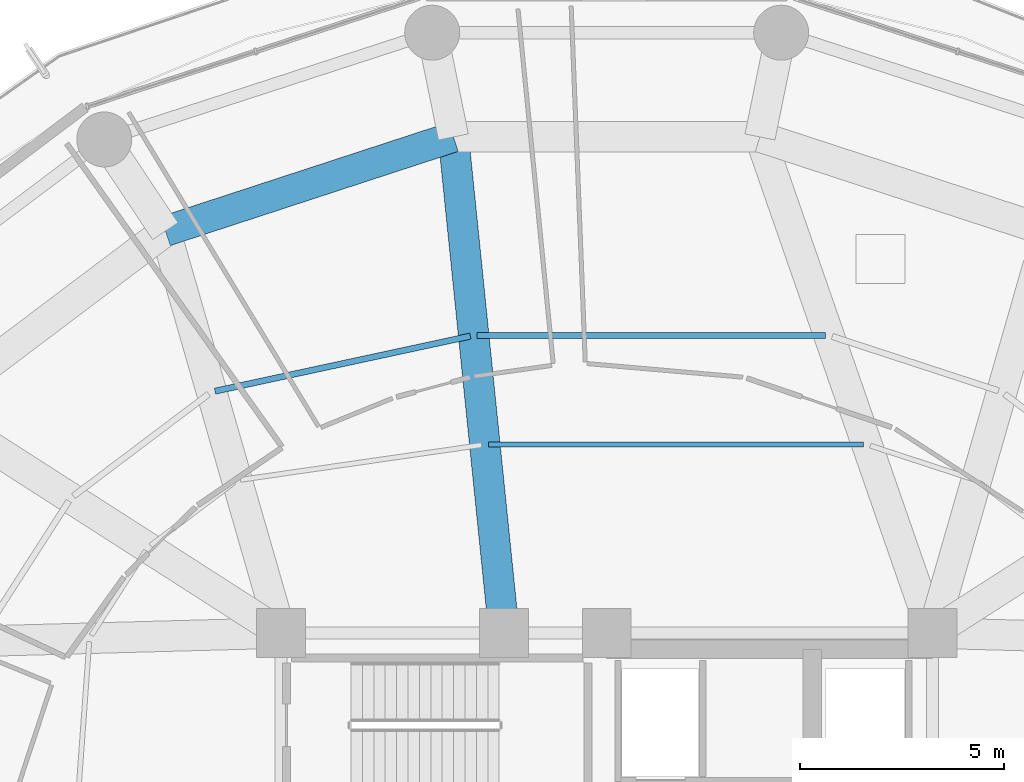
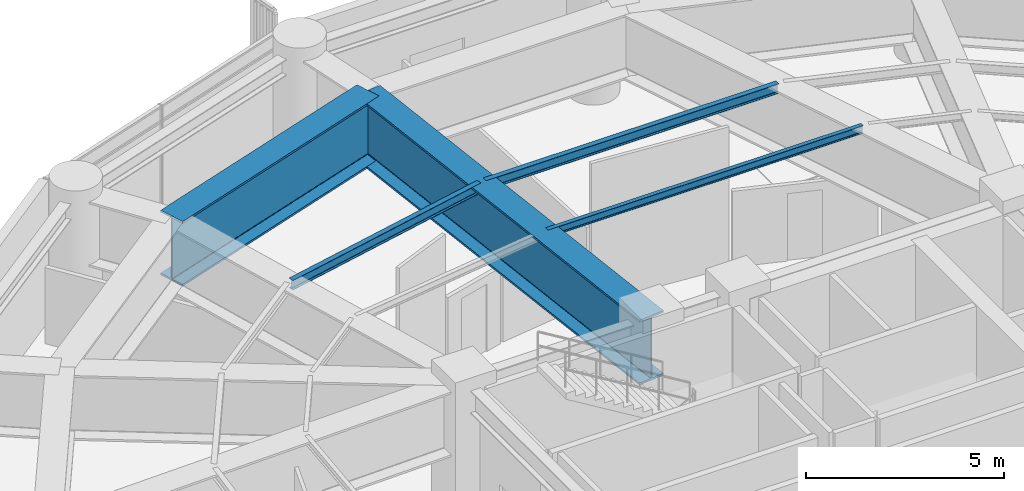
# One storey, part 19 of 34: 5 beams.
"""IFC4 building model written with IfcOpenShell, lengths in metres."""

from ifc_helpers import new_model, si_unit, direction, frame, origin, origin_2d, place, context, subcontext, project, spatial, i_section, extrude, material, material_profile, profile_set, type_object, element, save


model = new_model("IFC4")

# Units and contexts
model_context = context("Model", 3, precision=1e-05, world=origin(), true_north=direction((0.0, 1.0)))
body_context = subcontext(model_context, "Body", "Model", "MODEL_VIEW")
ifc_project = project(units=[si_unit("LENGTHUNIT", "METRE"), si_unit("AREAUNIT", "SQUARE_METRE"), si_unit("VOLUMEUNIT", "CUBIC_METRE"), si_unit("PLANEANGLEUNIT", "RADIAN"), si_unit("MASSUNIT", "GRAM", prefix="KILO")], contexts=[model_context])

# Site, building, storey
site_placement = place(None, origin())
site = spatial("IfcSite", under=ifc_project, at=site_placement, CompositionType="ELEMENT")
building_placement = place(site_placement, origin())
building = spatial("IfcBuilding", under=site, at=building_placement, Name="Kelanora Arch Commons", CompositionType="ELEMENT")
storey_placement = place(building_placement, frame((0.0, 0.0, 125.10009765625)))
storey = spatial("IfcBuildingStorey", under=building, at=storey_placement, Name="L32", CompositionType="ELEMENT", Elevation=125.10009765625)

# Beams
ifc_material = material(Name="Steel S355", Category="steel")
ifc_material_profile_1 = material_profile(ifc_material, i_section(OverallWidth=0.14990234375, OverallDepth=0.300048828125, WebThickness=0.007080078125, FlangeThickness=0.0107421875, FilletRadius=0.014892578125, at=origin_2d()), Name="IPE300")
ifc_profile_set_1 = profile_set([ifc_material_profile_1], Name="Steel S355")
beam_type_1 = type_object("IfcBeamType", Name="BM-JST-01", PredefinedType="JOIST", material=ifc_profile_set_1)
beam_1_placement = place(storey_placement, frame((79.373779296875, 72.310546875, 4.2099609375), z_axis=(-1.0, 0.0, 0.0), x_axis=(0.0, -1.0, 0.0)))
element("IfcBeam", 1, at=beam_1_placement, inside=storey, type_object=beam_type_1, Name="Secondary Chord Joist BJB-08 L32", PredefinedType="JOIST", context=body_context, shape_type="SweptSolid", body=[
    extrude(i_section(OverallWidth=0.14990234375, OverallDepth=0.300048828125, WebThickness=0.007080078125, FlangeThickness=0.0107421875, FilletRadius=0.014892578125, at=origin_2d()), origin(), (0.0, 0.0, 1.0), 8.5556640625),
])
beam_2_placement = place(storey_placement, frame((70.650146484375, 72.29248046875, 4.2099609375), z_axis=(-0.977521966827, -0.210833594029, 0.0), x_axis=(0.210833594029, -0.977521966827, 0.0)))
element("IfcBeam", 2, at=beam_2_placement, inside=storey, type_object=beam_type_1, Name="Secondary Chord Joist BJB-10 L32", PredefinedType="JOIST", context=body_context, shape_type="SweptSolid", body=[
    extrude(i_section(OverallWidth=0.14990234375, OverallDepth=0.300048828125, WebThickness=0.007080078125, FlangeThickness=0.0107421875, FilletRadius=0.014892578125, at=origin_2d()), origin(), (0.0, 0.0, 1.0), 6.415283203125),
])
ifc_material_profile_2 = material_profile(ifc_material, i_section(OverallWidth=0.1201171875, OverallDepth=0.239990234375, WebThickness=0.006103515625, FlangeThickness=0.009765625, FilletRadius=0.014892578125, at=origin_2d()), Name="IPE240")
ifc_profile_set_2 = profile_set([ifc_material_profile_2], Name="Steel S355")
beam_type_2 = type_object("IfcBeamType", Name="BM-JST-02", PredefinedType="JOIST", material=ifc_profile_set_2)
beam_3_placement = place(storey_placement, frame((80.3056640625, 69.6298828125, 4.239990234375), z_axis=(-1.0, 0.0, 0.0), x_axis=(0.0, -1.0, 0.0)))
element("IfcBeam", 3, at=beam_3_placement, inside=storey, type_object=beam_type_2, Name="Secondary Chord Joist BJA-08 L32", PredefinedType="JOIST", context=body_context, shape_type="SweptSolid", body=[
    extrude(i_section(OverallWidth=0.1201171875, OverallDepth=0.239990234375, WebThickness=0.006103515625, FlangeThickness=0.009765625, FilletRadius=0.014892578125, at=origin_2d()), origin(), (0.0, 0.0, 1.0), 9.213623046875),
])
ifc_material_profile_3 = material_profile(ifc_material, i_section(OverallWidth=0.75, OverallDepth=2.0, WebThickness=0.034912109375, FlangeThickness=0.06005859375, FilletRadius=0.028076171875, at=origin_2d()), Name="PG2000x750")
ifc_profile_set_3 = profile_set([ifc_material_profile_3], Name="Steel S355")
beam_type_3 = type_object("IfcBeamType", Name="BM-XFER-SET", PredefinedType="USERDEFINED", material=ifc_profile_set_3)
beam_4_placement = place(storey_placement, frame((71.47998046875, 65.0, 3.35986328125), z_axis=(-0.101623200789, 0.994822961668, 0.0), x_axis=(-0.994822961668, -0.101623200789, 0.0)))
element("IfcBeam", 4, at=beam_4_placement, inside=storey, type_object=beam_type_3, Name="Setback Radial Transfer Girder BRI-10 L32", ObjectType="TRANSFER_GIRDER", PredefinedType="USERDEFINED", context=body_context, shape_type="SweptSolid", body=[
    extrude(i_section(OverallWidth=0.75, OverallDepth=2.0, WebThickness=0.034912109375, FlangeThickness=0.06005859375, FilletRadius=0.028076171875, at=origin_2d()), origin(), (0.0, 0.0, 1.0), 12.24755859375),
])
beam_5_placement = place(storey_placement, frame((70.2353515625, 77.18408203125, 3.35986328125), z_axis=(-0.950461975786, -0.310840847676, 0.0), x_axis=(0.310840847676, -0.950461975786, 0.0)))
element("IfcBeam", 5, at=beam_5_placement, inside=storey, type_object=beam_type_3, Name="Setback Inner Transfer Ring BSI-10 L32", ObjectType="TRANSFER_GIRDER", PredefinedType="USERDEFINED", context=body_context, shape_type="SweptSolid", body=[
    extrude(i_section(OverallWidth=0.75, OverallDepth=2.0, WebThickness=0.034912109375, FlangeThickness=0.06005859375, FilletRadius=0.028076171875, at=origin_2d()), origin(), (0.0, 0.0, 1.0), 7.444091796875),
])

save(model, "model.ifc")
